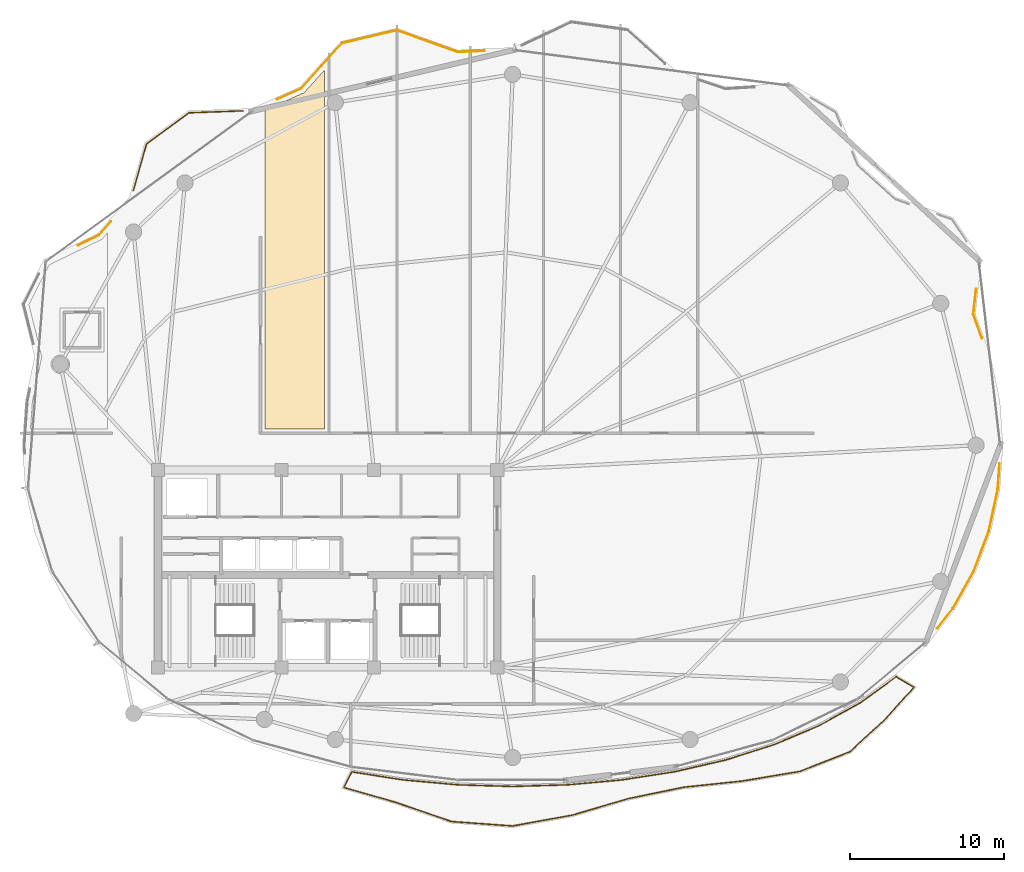
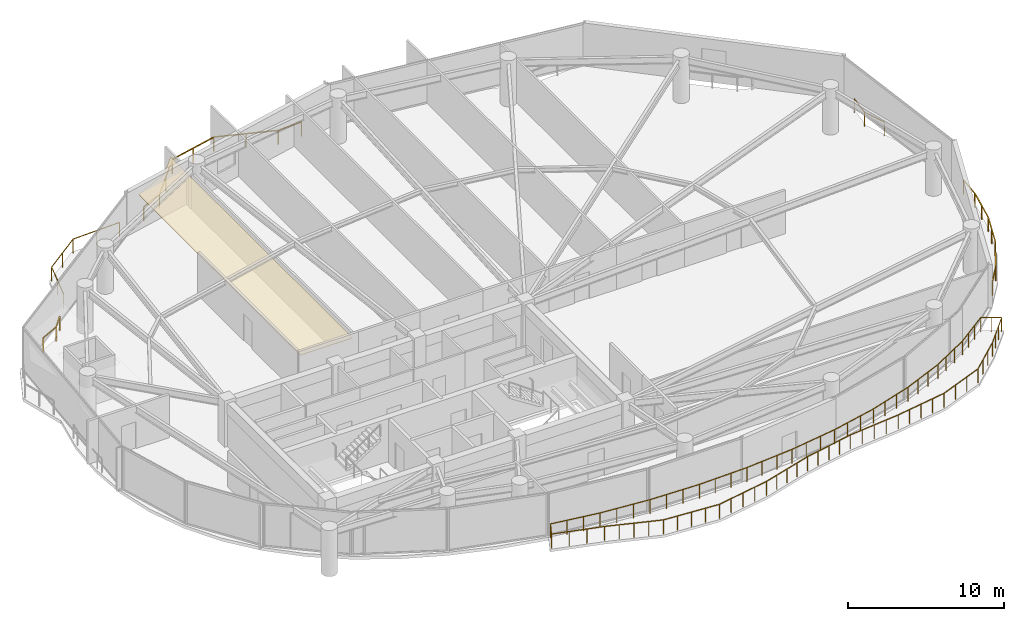
# One storey, part 29 of 30: 6 railings, 1 covering.
"""IFC4 building model written with IfcOpenShell, lengths in metres."""

import ifcopenshell
import ifcopenshell.guid

model = None  # the IFC model being written
_history = None  # IfcOwnerHistory: only IFC2X3 demands one
_inside = {}  # id of a spatial element -> (the spatial element, [elements in it])
_under = {}  # id of a project, library or spatial element -> (it, [spatial elements below it])
_declared = {}  # id of a project -> (the project, [libraries it declares])
_typed = {}  # id of a type object -> (the type object, [elements of that type])
_made_of = {}  # id of a material, layer set ... -> (it, [elements and type objects made of it])


def new_model(schema):
    """Start an empty IFC model of exactly this schema.

    Asked for "IFC4X3", IfcOpenShell would pick the latest addendum, in which some entities
    have other attributes; the version numbers below select the first issue.
    IFC2X3 requires an IfcOwnerHistory on every rooted entity: one is made here for all.
    """
    global model, _history
    if schema == "IFC4X3":
        model = ifcopenshell.file(schema_version=(4, 3, 0, 0))
    else:
        model = ifcopenshell.file(schema=schema)
    _inside.clear()
    _under.clear()
    _declared.clear()
    _typed.clear()
    _made_of.clear()
    _history = None
    if model.schema == "IFC2X3":
        org = make("IfcOrganization", Name="unknown")
        user = make(
            "IfcPersonAndOrganization",
            ThePerson=make("IfcPerson", FamilyName="unknown"),
            TheOrganization=org,
        )
        app = make(
            "IfcApplication",
            ApplicationDeveloper=org,
            Version="unknown",
            ApplicationFullName="unknown",
            ApplicationIdentifier="unknown",
        )
        _history = make(
            "IfcOwnerHistory",
            OwningUser=user,
            OwningApplication=app,
            ChangeAction="ADDED",
            CreationDate=0,
        )
    return model


def make(cls, **values):
    """One entity of the class cls with the attributes given. An attribute that is None is left unset."""
    return model.create_entity(
        cls, **{name: value for name, value in values.items() if value is not None}
    )


def rooted(cls, **values):
    """An entity with a GlobalId (a new one), such as an element, a storey or a relation."""
    return make(cls, GlobalId=ifcopenshell.guid.new(), OwnerHistory=_history, **values)


def si_unit(unit_type, name, prefix=None):
    """IfcSIUnit, for example si_unit("LENGTHUNIT", "METRE", prefix="MILLI")."""
    return make("IfcSIUnit", UnitType=unit_type, Prefix=prefix, Name=name)


def assignment(units):
    """IfcUnitAssignment: the units of a project."""
    return None if units is None else make("IfcUnitAssignment", Units=units)


def point(xyz):
    """IfcCartesianPoint."""
    return None if xyz is None else make("IfcCartesianPoint", Coordinates=xyz)


def direction(xyz):
    """IfcDirection."""
    return None if xyz is None else make("IfcDirection", DirectionRatios=xyz)


def frame(location, z_axis=None, x_axis=None):
    """IfcAxis2Placement3D, a coordinate frame: its origin and axes. An axis left out is left unset."""
    return make(
        "IfcAxis2Placement3D",
        Location=point(location),
        Axis=direction(z_axis),
        RefDirection=direction(x_axis),
    )


def frame_2d(location, x_axis=None):
    """IfcAxis2Placement2D, a coordinate frame in the plane: its origin and x axis."""
    return make(
        "IfcAxis2Placement2D", Location=point(location), RefDirection=direction(x_axis)
    )


def origin():
    """The frame at (0, 0, 0) with its axes left unset."""
    return frame((0.0, 0.0, 0.0))


def origin_2d():
    """The frame at (0, 0) in the plane with its x axis left unset."""
    return frame_2d((0.0, 0.0))


def place(relative_to, where):
    """IfcLocalPlacement: puts the frame where relative to a parent placement (None: the world)."""
    return make(
        "IfcLocalPlacement", PlacementRelTo=relative_to, RelativePlacement=where
    )


def context(
    kind, dimensions, precision=None, world=None, true_north=None, identifier=None
):
    """IfcGeometricRepresentationContext, for example the 3D "Model" context."""
    return make(
        "IfcGeometricRepresentationContext",
        ContextIdentifier=identifier,
        ContextType=kind,
        CoordinateSpaceDimension=dimensions,
        Precision=precision,
        WorldCoordinateSystem=world,
        TrueNorth=true_north,
    )


def subcontext(parent, identifier, kind, view, scale=None):
    """IfcGeometricRepresentationSubContext, for example "Body" below "Model"."""
    return make(
        "IfcGeometricRepresentationSubContext",
        ContextIdentifier=identifier,
        ContextType=kind,
        ParentContext=parent,
        TargetScale=scale,
        TargetView=view,
    )


def project(units=None, contexts=None):
    """IfcProject with its units and contexts."""
    return rooted(
        "IfcProject",
        Name="project",
        RepresentationContexts=contexts,
        UnitsInContext=assignment(units),
    )


def spatial(cls, under=None, at=None, **own):
    """A site, building, storey or space (cls), placed at a placement, below another one or the project."""
    s = rooted(cls, ObjectPlacement=at, **own)
    if under is not None:
        _under.setdefault(under.id(), (under, []))[1].append(s)
    return s


def polyline(points):
    """IfcPolyline through the points."""
    return make("IfcPolyline", Points=[point(p) for p in points])


def profile(cls, at=None, kind="AREA", **sizes):
    """A parametric profile (cls). Its sizes go by their IFC names, for example OverallWidth=200.0."""
    return make(cls, ProfileType=kind, Position=at, **sizes)


def rectangle(**sizes):
    """IfcRectangleProfileDef."""
    return profile("IfcRectangleProfileDef", **sizes)


def outline(outer, holes=None, kind="AREA"):
    """IfcArbitraryClosedProfileDef: a profile drawn as a closed curve; with holes, ...WithVoids."""
    if holes is None:
        return make("IfcArbitraryClosedProfileDef", ProfileType=kind, OuterCurve=outer)
    return make(
        "IfcArbitraryProfileDefWithVoids",
        ProfileType=kind,
        OuterCurve=outer,
        InnerCurves=holes,
    )


def extrude(swept, where, along, depth):
    """IfcExtrudedAreaSolid: the profile swept, set in the frame where, extruded along a direction by depth."""
    return make(
        "IfcExtrudedAreaSolid",
        SweptArea=swept,
        Position=where,
        ExtrudedDirection=direction(along),
        Depth=depth,
    )


def shape(context_of_items, identifier, shape_type, items):
    """IfcShapeRepresentation: the items that make up one representation, for example the "Body"."""
    return make(
        "IfcShapeRepresentation",
        ContextOfItems=context_of_items,
        RepresentationIdentifier=identifier,
        RepresentationType=shape_type,
        Items=items,
    )


def material(Name=None, Category=None):
    """IfcMaterial."""
    return make("IfcMaterial", Name=Name, Category=Category)


def layer(
    of_material, thickness, ventilated=None, Name=None, Category=None, Priority=None
):
    """IfcMaterialLayer: one layer of a wall or slab, of a material (None: an air gap)."""
    return make(
        "IfcMaterialLayer",
        Material=of_material,
        LayerThickness=thickness,
        IsVentilated=ventilated,
        Name=Name,
        Category=Category,
        Priority=Priority,
    )


def layer_set(layers, Name=None):
    """IfcMaterialLayerSet."""
    return make("IfcMaterialLayerSet", MaterialLayers=layers, LayerSetName=Name)


def made_of(thing, what):
    """Note that an element or type object is made of a material, layer set ...; save() writes the relation."""
    if what is not None:
        _made_of.setdefault(what.id(), (what, []))[1].append(thing)
    return thing


def type_object(cls, material=None, **own):
    """A type object (cls), such as IfcWallType, which elements share."""
    return made_of(rooted(cls, **own), material)


def element(
    cls,
    number,
    at=None,
    inside=None,
    cuts=None,
    type_object=None,
    material=None,
    context=None,
    identifier="Body",
    shape_type=None,
    held_by="IfcProductDefinitionShape",
    body=None,
    shapes=None,
    **own,
):
    """One element of the class cls, such as IfcWall. Its Tag is "e" and its number.

    at: its placement. inside: the storey or other place that contains it. cuts: it is an
    opening in that element (IfcRelVoidsElement). A single representation is given by context,
    identifier, shape_type and body (its items); several are given by shapes. held_by: the class
    of the entity that holds the representations. save() writes the other relations.
    """
    e = rooted(cls, Tag="e%d" % number, ObjectPlacement=at, **own)
    if body is not None:
        shapes = [shape(context, identifier, shape_type, body)]
    if shapes is not None:
        e.Representation = make(held_by, Representations=shapes)
    if inside is not None:
        _inside.setdefault(inside.id(), (inside, []))[1].append(e)
    if cuts is not None:
        rooted(
            "IfcRelVoidsElement", RelatingBuildingElement=cuts, RelatedOpeningElement=e
        )
    if type_object is not None:
        _typed.setdefault(type_object.id(), (type_object, []))[1].append(e)
    return made_of(e, material)


def aggregate(whole, parts):
    """IfcRelAggregates: a whole, such as a stair, and the parts it consists of."""
    return rooted("IfcRelAggregates", RelatingObject=whole, RelatedObjects=parts)


def save(model, path):
    """Write the relations noted so far, then the file.

    IfcRelAggregates (storeys below a building ...), IfcRelContainedInSpatialStructure (elements
    in a storey), IfcRelDefinesByType, IfcRelAssociatesMaterial and IfcRelDeclares: one each for
    every whole, place, type object, material and project.
    """
    for whole, parts in _under.values():
        aggregate(whole, parts)
    for where, things in _inside.values():
        rooted(
            "IfcRelContainedInSpatialStructure",
            RelatedElements=things,
            RelatingStructure=where,
        )
    for kind, things in _typed.values():
        rooted("IfcRelDefinesByType", RelatedObjects=things, RelatingType=kind)
    for what, things in _made_of.values():
        rooted("IfcRelAssociatesMaterial", RelatedObjects=things, RelatingMaterial=what)
    for by, libraries in _declared.values():
        rooted("IfcRelDeclares", RelatingContext=by, RelatedDefinitions=libraries)
    model.write(path)


model = new_model("IFC4")

# Units and contexts
model_context = context("Model", 3, precision=1e-05, world=origin(), true_north=direction((0.0, 1.0)))
body_context = subcontext(model_context, "Body", "Model", "MODEL_VIEW")
ifc_project = project(units=[si_unit("LENGTHUNIT", "METRE"), si_unit("AREAUNIT", "SQUARE_METRE"), si_unit("VOLUMEUNIT", "CUBIC_METRE"), si_unit("PLANEANGLEUNIT", "RADIAN"), si_unit("MASSUNIT", "GRAM", prefix="KILO")], contexts=[model_context])

# Site, building, storey
site_placement = place(None, origin())
site = spatial("IfcSite", under=ifc_project, at=site_placement, CompositionType="ELEMENT")
building_placement = place(site_placement, origin())
building = spatial("IfcBuilding", under=site, at=building_placement, Name="Kazevale Care Tower and Concert Hall", CompositionType="ELEMENT")
storey_placement = place(building_placement, frame((0.0, 0.0, 242.39990234375)))
storey = spatial("IfcBuildingStorey", under=building, at=storey_placement, Name="L64", CompositionType="ELEMENT", Elevation=242.39990234375)

# Covering
ifc_material_1 = material(Name="Acoustic Plaster and Hinoki Wood", Category="wood")
ifc_layer = layer(ifc_material_1, 0.0400390625)
ifc_layer_set = layer_set([ifc_layer], Name="Acoustic Plaster and Hinoki Wood")
covering_type = type_object("IfcCoveringType", Name="Acoustic Perforated Wood-Gypsum Ceiling", PredefinedType="CEILING", material=ifc_layer_set)
covering_placement = place(storey_placement, frame((0.0, 0.0, 2.710205078125)))
element("IfcCovering", 1, at=covering_placement, inside=storey, type_object=covering_type, Name="clg:L64:2", PredefinedType="CEILING", context=body_context, shape_type="SweptSolid", body=[
    extrude(outline(polyline([(28.929931640625, 59.721923828125), (31.47900390625, 60.864990234375), (32.800048828125, 62.333984375), (32.800048828125, 39.054931640625), (28.929931640625, 39.054931640625), (28.929931640625, 59.721923828125)])), origin(), (0.0, 0.0, 1.0), 0.039794921875),
])

# Railings
ifc_material_2 = material(Name="Anodised Bronze Aluminium and Laminated Glass", Category="aluminium")
railing_type = type_object("IfcRailingType", Name="Balcony and Terrace Balustrade 1120", PredefinedType="BALUSTRADE", material=ifc_material_2)
railing_1_placement = place(storey_placement, frame((16.83203125, 50.968994140625, 0.0)))
element("IfcRailing", 2, at=railing_1_placement, inside=storey, type_object=railing_type, Name="rail:L64:perim:3", PredefinedType="BALUSTRADE", context=body_context, shape_type="SweptSolid", body=[
    extrude(rectangle(XDim=0.048095703125, YDim=0.048095703125, at=origin_2d()), frame((0.0, 0.0, 1.09619140625), z_axis=(0.899880965399, 0.436135584553, 0.0), x_axis=(-0.436135584553, 0.899880965399, 0.0)), (0.0, 0.0, 1.0), 1.476806640625),
    extrude(rectangle(XDim=0.048095703125, YDim=0.048095703125, at=origin_2d()), frame((1.328857421875, 0.64404296875, 1.09619140625), z_axis=(0.658533673371, 0.752551261402, 0.0), x_axis=(-0.752551261402, 0.658533673371, 0.0)), (0.0, 0.0, 1.0), 1.189208984375),
    extrude(rectangle(XDim=0.0419921875, YDim=0.0419921875, at=origin_2d()), origin(), (0.0, 0.0, 1.0), 1.072021484375),
    extrude(rectangle(XDim=0.0419921875, YDim=0.0419921875, at=origin_2d()), frame((1.328857421875, 0.64404296875, 0.0)), (0.0, 0.0, 1.0), 1.072021484375),
    extrude(rectangle(XDim=0.0419921875, YDim=0.0419921875, at=origin_2d()), frame((2.112060546875, 1.5390625, 0.0)), (0.0, 0.0, 1.0), 1.072021484375),
])
railing_2_placement = place(storey_placement, frame((20.403076171875, 54.511962890625, 0.0)))
element("IfcRailing", 3, at=railing_2_placement, inside=storey, type_object=railing_type, Name="rail:L64:perim:4", PredefinedType="BALUSTRADE", context=body_context, shape_type="SweptSolid", body=[
    extrude(rectangle(XDim=0.048095703125, YDim=0.048095703125, at=origin_2d()), frame((0.0, 0.0, 1.09619140625), z_axis=(0.27160216444, 0.962409613559, 0.0), x_axis=(-0.962409613559, 0.27160216444, 0.0)), (0.0, 0.0, 1.0), 3.144287109375),
    extrude(rectangle(XDim=0.048095703125, YDim=0.048095703125, at=origin_2d()), frame((0.85400390625, 3.026123046875, 1.09619140625), z_axis=(0.805881115656, 0.592077382973, 0.0), x_axis=(-0.592077382973, 0.805881115656, 0.0)), (0.0, 0.0, 1.0), 3.40966796875),
    extrude(rectangle(XDim=0.048095703125, YDim=0.048095703125, at=origin_2d()), frame((3.601806640625, 5.044921875, 1.09619140625), z_axis=(0.999339175446, 0.036348485787, 0.0), x_axis=(-0.036348485787, 0.999339175446, 0.0)), (0.0, 0.0, 1.0), 3.499267578125),
    extrude(rectangle(XDim=0.0419921875, YDim=0.0419921875, at=origin_2d()), origin(), (0.0, 0.0, 1.0), 1.072021484375),
    extrude(rectangle(XDim=0.0419921875, YDim=0.0419921875, at=origin_2d()), frame((0.427001953125, 1.51318359375, 0.0)), (0.0, 0.0, 1.0), 1.072021484375),
    extrude(rectangle(XDim=0.0419921875, YDim=0.0419921875, at=origin_2d()), frame((0.85400390625, 3.026123046875, 0.0)), (0.0, 0.0, 1.0), 1.072021484375),
    extrude(rectangle(XDim=0.0419921875, YDim=0.0419921875, at=origin_2d()), frame((2.22802734375, 4.03564453125, 0.0)), (0.0, 0.0, 1.0), 1.072021484375),
    extrude(rectangle(XDim=0.0419921875, YDim=0.0419921875, at=origin_2d()), frame((3.601806640625, 5.044921875, 0.0)), (0.0, 0.0, 1.0), 1.072021484375),
    extrude(rectangle(XDim=0.0419921875, YDim=0.0419921875, at=origin_2d()), frame((5.350341796875, 5.1083984375, 0.0)), (0.0, 0.0, 1.0), 1.072021484375),
    extrude(rectangle(XDim=0.0419921875, YDim=0.0419921875, at=origin_2d()), frame((7.098876953125, 5.172119140625, 0.0)), (0.0, 0.0, 1.0), 1.072021484375),
])
railing_3_placement = place(storey_placement, frame((29.737060546875, 60.43505859375, 0.0)))
element("IfcRailing", 4, at=railing_3_placement, inside=storey, type_object=railing_type, Name="rail:L64:perim:5", PredefinedType="BALUSTRADE", context=body_context, shape_type="SweptSolid", body=[
    extrude(rectangle(XDim=0.048095703125, YDim=0.048095703125, at=origin_2d()), frame((0.0, 0.0, 1.09619140625), z_axis=(0.912729386392, 0.408564642641, 0.0), x_axis=(-0.408564642641, 0.912729386392, 0.0)), (0.0, 0.0, 1.0), 1.6982421875),
    extrude(rectangle(XDim=0.048095703125, YDim=0.048095703125, at=origin_2d()), frame((1.550048828125, 0.69384765625, 1.09619140625), z_axis=(0.668500240789, 0.743711925456, 0.0), x_axis=(-0.743711925456, 0.668500240789, 0.0)), (0.0, 0.0, 1.0), 3.950439453125),
    extrude(rectangle(XDim=0.048095703125, YDim=0.048095703125, at=origin_2d()), frame((4.19091796875, 3.6318359375, 1.09619140625), z_axis=(0.97312090779, 0.2302948085, 0.0), x_axis=(-0.2302948085, 0.97312090779, 0.0)), (0.0, 0.0, 1.0), 3.652099609375),
    extrude(rectangle(XDim=0.048095703125, YDim=0.048095703125, at=origin_2d()), frame((7.744873046875, 4.472900390625, 1.09619140625), z_axis=(0.941350252636, -0.337431032749, 0.0), x_axis=(0.337431032749, 0.941350252636, 0.0)), (0.0, 0.0, 1.0), 4.18115234375),
    extrude(rectangle(XDim=0.048095703125, YDim=0.048095703125, at=origin_2d()), frame((11.680908203125, 3.06201171875, 1.09619140625), z_axis=(0.998977358959, 0.045213231333, 0.0), x_axis=(-0.045213231333, 0.998977358959, 0.0)), (0.0, 0.0, 1.0), 1.765625),
    extrude(rectangle(XDim=0.0419921875, YDim=0.0419921875, at=origin_2d()), origin(), (0.0, 0.0, 1.0), 1.072021484375),
    extrude(rectangle(XDim=0.0419921875, YDim=0.0419921875, at=origin_2d()), frame((1.550048828125, 0.69384765625, 0.0)), (0.0, 0.0, 1.0), 1.072021484375),
    extrude(rectangle(XDim=0.0419921875, YDim=0.0419921875, at=origin_2d()), frame((2.87060546875, 2.162841796875, 0.0)), (0.0, 0.0, 1.0), 1.072021484375),
    extrude(rectangle(XDim=0.0419921875, YDim=0.0419921875, at=origin_2d()), frame((4.19091796875, 3.6318359375, 0.0)), (0.0, 0.0, 1.0), 1.072021484375),
    extrude(rectangle(XDim=0.0419921875, YDim=0.0419921875, at=origin_2d()), frame((5.9677734375, 4.05224609375, 0.0)), (0.0, 0.0, 1.0), 1.072021484375),
    extrude(rectangle(XDim=0.0419921875, YDim=0.0419921875, at=origin_2d()), frame((7.744873046875, 4.472900390625, 0.0)), (0.0, 0.0, 1.0), 1.072021484375),
    extrude(rectangle(XDim=0.0419921875, YDim=0.0419921875, at=origin_2d()), frame((9.712890625, 3.767578125, 0.0)), (0.0, 0.0, 1.0), 1.072021484375),
    extrude(rectangle(XDim=0.0419921875, YDim=0.0419921875, at=origin_2d()), frame((11.680908203125, 3.06201171875, 0.0)), (0.0, 0.0, 1.0), 1.072021484375),
    extrude(rectangle(XDim=0.0419921875, YDim=0.0419921875, at=origin_2d()), frame((13.44482421875, 3.141845703125, 0.0)), (0.0, 0.0, 1.0), 1.072021484375),
])
railing_4_placement = place(storey_placement, frame((76.576904296875, 36.81103515625, 0.0)))
element("IfcRailing", 5, at=railing_4_placement, inside=storey, type_object=railing_type, Name="rail:L64:perim:11", PredefinedType="BALUSTRADE", context=body_context, shape_type="SweptSolid", body=[
    extrude(rectangle(XDim=0.048095703125, YDim=0.048095703125, at=origin_2d()), frame((0.0, 0.0, 1.09619140625), z_axis=(-0.069683140934, -0.997569175481, 0.0), x_axis=(0.997569175481, -0.069683140934, 0.0)), (0.0, 0.0, 1.0), 1.664306640625),
    extrude(rectangle(XDim=0.048095703125, YDim=0.048095703125, at=origin_2d()), frame((-0.115966796875, -1.66015625, 1.09619140625), z_axis=(-0.210886672564, -0.97751051725, 0.0), x_axis=(0.97751051725, -0.210886672564, 0.0)), (0.0, 0.0, 1.0), 2.81201171875),
    extrude(rectangle(XDim=0.048095703125, YDim=0.048095703125, at=origin_2d()), frame((-0.708984375, -4.408935546875, 1.09619140625), z_axis=(-0.352914941795, -0.935655408715, 0.0), x_axis=(0.935655408715, -0.352914941795, 0.0)), (0.0, 0.0, 1.0), 2.77685546875),
    extrude(rectangle(XDim=0.048095703125, YDim=0.048095703125, at=origin_2d()), frame((-1.68896484375, -7.007080078125, 1.09619140625), z_axis=(-0.490131162051, -0.871648692987, 0.0), x_axis=(0.871648692987, -0.490131162051, 0.0)), (0.0, 0.0, 1.0), 2.762451171875),
    extrude(rectangle(XDim=0.048095703125, YDim=0.048095703125, at=origin_2d()), frame((-3.04296875, -9.4150390625, 1.09619140625), z_axis=(-0.615507243123, -0.788131228707, 0.0), x_axis=(0.788131228707, -0.615507243123, 0.0)), (0.0, 0.0, 1.0), 1.6279296875),
    extrude(rectangle(XDim=0.0419921875, YDim=0.0419921875, at=origin_2d()), origin(), (0.0, 0.0, 1.0), 1.072021484375),
    extrude(rectangle(XDim=0.0419921875, YDim=0.0419921875, at=origin_2d()), frame((-0.115966796875, -1.66015625, 0.0)), (0.0, 0.0, 1.0), 1.072021484375),
    extrude(rectangle(XDim=0.0419921875, YDim=0.0419921875, at=origin_2d()), frame((-0.41259765625, -3.03466796875, 0.0)), (0.0, 0.0, 1.0), 1.072021484375),
    extrude(rectangle(XDim=0.0419921875, YDim=0.0419921875, at=origin_2d()), frame((-0.708984375, -4.408935546875, 0.0)), (0.0, 0.0, 1.0), 1.072021484375),
    extrude(rectangle(XDim=0.0419921875, YDim=0.0419921875, at=origin_2d()), frame((-1.198974609375, -5.7080078125, 0.0)), (0.0, 0.0, 1.0), 1.072021484375),
    extrude(rectangle(XDim=0.0419921875, YDim=0.0419921875, at=origin_2d()), frame((-1.68896484375, -7.007080078125, 0.0)), (0.0, 0.0, 1.0), 1.072021484375),
    extrude(rectangle(XDim=0.0419921875, YDim=0.0419921875, at=origin_2d()), frame((-2.365966796875, -8.2109375, 0.0)), (0.0, 0.0, 1.0), 1.072021484375),
    extrude(rectangle(XDim=0.0419921875, YDim=0.0419921875, at=origin_2d()), frame((-3.04296875, -9.4150390625, 0.0)), (0.0, 0.0, 1.0), 1.072021484375),
    extrude(rectangle(XDim=0.0419921875, YDim=0.0419921875, at=origin_2d()), frame((-4.044921875, -10.697998046875, 0.0)), (0.0, 0.0, 1.0), 1.072021484375),
])
railing_5_placement = place(storey_placement, frame((75.054931640625, 48.138916015625, 0.0)))
element("IfcRailing", 6, at=railing_5_placement, inside=storey, type_object=railing_type, Name="rail:L64:perim:12", PredefinedType="BALUSTRADE", context=body_context, shape_type="SweptSolid", body=[
    extrude(rectangle(XDim=0.048095703125, YDim=0.048095703125, at=origin_2d()), frame((0.0, 0.0, 1.09619140625), z_axis=(-0.110627099756, -0.993861984784, 0.0), x_axis=(0.993861984784, -0.110627099756, 0.0)), (0.0, 0.0, 1.0), 1.64404296875),
    extrude(rectangle(XDim=0.048095703125, YDim=0.048095703125, at=origin_2d()), frame((-0.181884765625, -1.634033203125, 1.09619140625), z_axis=(0.334582750454, -0.942366374134, 0.0), x_axis=(0.942366374134, 0.334582750454, 0.0)), (0.0, 0.0, 1.0), 1.65869140625),
    extrude(rectangle(XDim=0.0419921875, YDim=0.0419921875, at=origin_2d()), origin(), (0.0, 0.0, 1.0), 1.072021484375),
    extrude(rectangle(XDim=0.0419921875, YDim=0.0419921875, at=origin_2d()), frame((-0.181884765625, -1.634033203125, 0.0)), (0.0, 0.0, 1.0), 1.072021484375),
    extrude(rectangle(XDim=0.0419921875, YDim=0.0419921875, at=origin_2d()), frame((0.373046875, -3.197021484375, 0.0)), (0.0, 0.0, 1.0), 1.072021484375),
])
railing_6_placement = place(storey_placement, frame((34.56298828125, 16.819091796875, 0.0)))
element("IfcRailing", 7, at=railing_6_placement, inside=storey, type_object=railing_type, Name="rail:L64:balcony", PredefinedType="BALUSTRADE", context=body_context, shape_type="SweptSolid", body=[
    extrude(rectangle(XDim=0.048095703125, YDim=0.048095703125, at=origin_2d()), frame((0.0, 0.0, 1.09619140625), z_axis=(0.988093340761, -0.15385561395, 0.0), x_axis=(0.15385561395, 0.988093340761, 0.0)), (0.0, 0.0, 1.0), 3.38623046875),
    extrude(rectangle(XDim=0.048095703125, YDim=0.048095703125, at=origin_2d()), frame((3.345947265625, -0.52099609375, 1.09619140625), z_axis=(0.995947899496, -0.089932093766, 0.0), x_axis=(0.089932093766, 0.995947899496, 0.0)), (0.0, 0.0, 1.0), 3.537353515625),
    extrude(rectangle(XDim=0.048095703125, YDim=0.048095703125, at=origin_2d()), frame((6.868896484375, -0.839111328125, 1.09619140625), z_axis=(0.999567458851, -0.029409100739, 0.0), x_axis=(0.029409100739, 0.999567458851, 0.0)), (0.0, 0.0, 1.0), 3.569580078125),
    extrude(rectangle(XDim=0.048095703125, YDim=0.048095703125, at=origin_2d()), frame((10.43701171875, -0.944091796875, 1.09619140625), z_axis=(0.999567458851, 0.029409100739, 0.0), x_axis=(-0.029409100739, 0.999567458851, 0.0)), (0.0, 0.0, 1.0), 3.569580078125),
    extrude(rectangle(XDim=0.048095703125, YDim=0.048095703125, at=origin_2d()), frame((14.005126953125, -0.839111328125, 1.09619140625), z_axis=(0.995947899496, 0.089932093766, 0.0), x_axis=(-0.089932093766, 0.995947899496, 0.0)), (0.0, 0.0, 1.0), 3.537353515625),
    extrude(rectangle(XDim=0.048095703125, YDim=0.048095703125, at=origin_2d()), frame((17.528076171875, -0.52099609375, 1.09619140625), z_axis=(0.988098216207, 0.153824299539, 0.0), x_axis=(-0.153824299539, 0.988098216207, 0.0)), (0.0, 0.0, 1.0), 3.4775390625),
    extrude(rectangle(XDim=0.048095703125, YDim=0.048095703125, at=origin_2d()), frame((20.964111328125, 0.013916015625, 1.09619140625), z_axis=(0.974534254558, 0.224238682418, 0.0), x_axis=(-0.224238682418, 0.974534254558, 0.0)), (0.0, 0.0, 1.0), 3.389404296875),
    extrude(rectangle(XDim=0.048095703125, YDim=0.048095703125, at=origin_2d()), frame((24.26708984375, 0.77392578125, 1.09619140625), z_axis=(0.953239514235, 0.302215864078, 0.0), x_axis=(-0.302215864078, 0.953239514235, 0.0)), (0.0, 0.0, 1.0), 3.285400390625),
    extrude(rectangle(XDim=0.048095703125, YDim=0.048095703125, at=origin_2d()), frame((27.39892578125, 1.766845703125, 1.09619140625), z_axis=(0.921006567992, 0.389547046858, 0.0), x_axis=(-0.389547046858, 0.921006567992, 0.0)), (0.0, 0.0, 1.0), 3.170654296875),
    extrude(rectangle(XDim=0.048095703125, YDim=0.048095703125, at=origin_2d()), frame((30.319091796875, 3.001953125, 1.09619140625), z_axis=(0.874149737903, 0.485656499724, 0.0), x_axis=(-0.485656499724, 0.874149737903, 0.0)), (0.0, 0.0, 1.0), 3.055419921875),
    extrude(rectangle(XDim=0.048095703125, YDim=0.048095703125, at=origin_2d()), frame((32.989990234375, 4.48583984375, 1.09619140625), z_axis=(0.809111467971, 0.587655198562, 0.0), x_axis=(-0.587655198562, 0.809111467971, 0.0)), (0.0, 0.0, 1.0), 2.867431640625),
    extrude(rectangle(XDim=0.048095703125, YDim=0.048095703125, at=origin_2d()), frame((35.31005859375, 6.1708984375, 1.09619140625), z_axis=(0.858393665288, -0.512991535402, 0.0), x_axis=(0.512991535402, 0.858393665288, 0.0)), (0.0, 0.0, 1.0), 1.33740234375),
    extrude(rectangle(XDim=0.048095703125, YDim=0.048095703125, at=origin_2d()), frame((36.4580078125, 5.48486328125, 1.09619140625), z_axis=(-0.668384241521, -0.743816177349, 0.0), x_axis=(0.743816177349, -0.668384241521, 0.0)), (0.0, 0.0, 1.0), 2.8125),
    extrude(rectangle(XDim=0.048095703125, YDim=0.048095703125, at=origin_2d()), frame((34.578125, 3.392822265625, 1.09619140625), z_axis=(-0.737052488567, -0.675835504467, 0.0), x_axis=(0.675835504467, -0.737052488567, 0.0)), (0.0, 0.0, 1.0), 3.0908203125),
    extrude(rectangle(XDim=0.048095703125, YDim=0.048095703125, at=origin_2d()), frame((32.300048828125, 1.303955078125, 1.09619140625), z_axis=(-0.930836510622, -0.365435891084, 0.0), x_axis=(0.365435891084, -0.930836510622, 0.0)), (0.0, 0.0, 1.0), 3.489501953125),
    extrude(rectangle(XDim=0.048095703125, YDim=0.048095703125, at=origin_2d()), frame((29.052001953125, 0.02880859375, 1.09619140625), z_axis=(-0.986416538605, -0.164263241072, 0.0), x_axis=(0.164263241072, -0.986416538605, 0.0)), (0.0, 0.0, 1.0), 3.79150390625),
    extrude(rectangle(XDim=0.048095703125, YDim=0.048095703125, at=origin_2d()), frame((25.31201171875, -0.593994140625, 1.09619140625), z_axis=(-0.994432821465, -0.105372499228, 0.0), x_axis=(0.105372499228, -0.994432821465, 0.0)), (0.0, 0.0, 1.0), 3.7880859375),
    extrude(rectangle(XDim=0.048095703125, YDim=0.048095703125, at=origin_2d()), frame((21.544921875, -0.9931640625, 1.09619140625), z_axis=(-0.979808858255, -0.199936493129, 0.0), x_axis=(0.199936493129, -0.979808858255, 0.0)), (0.0, 0.0, 1.0), 3.660888671875),
    extrude(rectangle(XDim=0.048095703125, YDim=0.048095703125, at=origin_2d()), frame((17.9580078125, -1.72509765625, 1.09619140625), z_axis=(-0.959075433018, -0.283150690942, 0.0), x_axis=(0.283150690942, -0.959075433018, 0.0)), (0.0, 0.0, 1.0), 3.7861328125),
    extrude(rectangle(XDim=0.048095703125, YDim=0.048095703125, at=origin_2d()), frame((14.326904296875, -2.797119140625, 1.09619140625), z_axis=(-0.983798812619, -0.179276033782, 0.0), x_axis=(0.179276033782, -0.983798812619, 0.0)), (0.0, 0.0, 1.0), 3.960205078125),
    extrude(rectangle(XDim=0.048095703125, YDim=0.048095703125, at=origin_2d()), frame((10.430908203125, -3.507080078125, 1.09619140625), z_axis=(-0.997342128338, 0.072860682418, 0.0), x_axis=(-0.072860682418, -0.997342128338, 0.0)), (0.0, 0.0, 1.0), 3.96728515625),
    extrude(rectangle(XDim=0.048095703125, YDim=0.048095703125, at=origin_2d()), frame((6.47412109375, -3.218017578125, 1.09619140625), z_axis=(-0.945671323104, 0.325124204971, 0.0), x_axis=(-0.325124204971, -0.945671323104, 0.0)), (0.0, 0.0, 1.0), 3.838623046875),
    extrude(rectangle(XDim=0.048095703125, YDim=0.048095703125, at=origin_2d()), frame((2.843994140625, -1.969970703125, 1.09619140625), z_axis=(-0.961264286411, 0.275628321605, 0.0), x_axis=(-0.275628321605, -0.961264286411, 0.0)), (0.0, 0.0, 1.0), 3.48291015625),
    extrude(rectangle(XDim=0.048095703125, YDim=0.048095703125, at=origin_2d()), frame((-0.50390625, -1.010009765625, 1.09619140625), z_axis=(0.446434760748, 0.894816184697, 0.0), x_axis=(-0.894816184697, 0.446434760748, 0.0)), (0.0, 0.0, 1.0), 1.128662109375),
    extrude(rectangle(XDim=0.0419921875, YDim=0.0419921875, at=origin_2d()), origin(), (0.0, 0.0, 1.0), 1.072021484375),
    extrude(rectangle(XDim=0.0419921875, YDim=0.0419921875, at=origin_2d()), frame((1.115234375, -0.173583984375, 0.0)), (0.0, 0.0, 1.0), 1.072021484375),
    extrude(rectangle(XDim=0.0419921875, YDim=0.0419921875, at=origin_2d()), frame((2.230712890625, -0.347412109375, 0.0)), (0.0, 0.0, 1.0), 1.072021484375),
    extrude(rectangle(XDim=0.0419921875, YDim=0.0419921875, at=origin_2d()), frame((3.345947265625, -0.52099609375, 0.0)), (0.0, 0.0, 1.0), 1.072021484375),
    extrude(rectangle(XDim=0.0419921875, YDim=0.0419921875, at=origin_2d()), frame((4.520263671875, -0.626953125, 0.0)), (0.0, 0.0, 1.0), 1.072021484375),
    extrude(rectangle(XDim=0.0419921875, YDim=0.0419921875, at=origin_2d()), frame((5.694580078125, -0.733154296875, 0.0)), (0.0, 0.0, 1.0), 1.072021484375),
    extrude(rectangle(XDim=0.0419921875, YDim=0.0419921875, at=origin_2d()), frame((6.868896484375, -0.839111328125, 0.0)), (0.0, 0.0, 1.0), 1.072021484375),
    extrude(rectangle(XDim=0.0419921875, YDim=0.0419921875, at=origin_2d()), frame((8.058349609375, -0.8740234375, 0.0)), (0.0, 0.0, 1.0), 1.072021484375),
    extrude(rectangle(XDim=0.0419921875, YDim=0.0419921875, at=origin_2d()), frame((9.24755859375, -0.9091796875, 0.0)), (0.0, 0.0, 1.0), 1.072021484375),
    extrude(rectangle(XDim=0.0419921875, YDim=0.0419921875, at=origin_2d()), frame((10.43701171875, -0.944091796875, 0.0)), (0.0, 0.0, 1.0), 1.072021484375),
    extrude(rectangle(XDim=0.0419921875, YDim=0.0419921875, at=origin_2d()), frame((11.62646484375, -0.9091796875, 0.0)), (0.0, 0.0, 1.0), 1.072021484375),
    extrude(rectangle(XDim=0.0419921875, YDim=0.0419921875, at=origin_2d()), frame((12.815673828125, -0.8740234375, 0.0)), (0.0, 0.0, 1.0), 1.072021484375),
    extrude(rectangle(XDim=0.0419921875, YDim=0.0419921875, at=origin_2d()), frame((14.005126953125, -0.839111328125, 0.0)), (0.0, 0.0, 1.0), 1.072021484375),
    extrude(rectangle(XDim=0.0419921875, YDim=0.0419921875, at=origin_2d()), frame((15.179443359375, -0.733154296875, 0.0)), (0.0, 0.0, 1.0), 1.072021484375),
    extrude(rectangle(XDim=0.0419921875, YDim=0.0419921875, at=origin_2d()), frame((16.353759765625, -0.626953125, 0.0)), (0.0, 0.0, 1.0), 1.072021484375),
    extrude(rectangle(XDim=0.0419921875, YDim=0.0419921875, at=origin_2d()), frame((17.528076171875, -0.52099609375, 0.0)), (0.0, 0.0, 1.0), 1.072021484375),
    extrude(rectangle(XDim=0.0419921875, YDim=0.0419921875, at=origin_2d()), frame((18.67333984375, -0.3427734375, 0.0)), (0.0, 0.0, 1.0), 1.072021484375),
    extrude(rectangle(XDim=0.0419921875, YDim=0.0419921875, at=origin_2d()), frame((19.81884765625, -0.164306640625, 0.0)), (0.0, 0.0, 1.0), 1.072021484375),
    extrude(rectangle(XDim=0.0419921875, YDim=0.0419921875, at=origin_2d()), frame((20.964111328125, 0.013916015625, 0.0)), (0.0, 0.0, 1.0), 1.072021484375),
    extrude(rectangle(XDim=0.0419921875, YDim=0.0419921875, at=origin_2d()), frame((22.065185546875, 0.267333984375, 0.0)), (0.0, 0.0, 1.0), 1.072021484375),
    extrude(rectangle(XDim=0.0419921875, YDim=0.0419921875, at=origin_2d()), frame((23.166015625, 0.5205078125, 0.0)), (0.0, 0.0, 1.0), 1.072021484375),
    extrude(rectangle(XDim=0.0419921875, YDim=0.0419921875, at=origin_2d()), frame((24.26708984375, 0.77392578125, 0.0)), (0.0, 0.0, 1.0), 1.072021484375),
    extrude(rectangle(XDim=0.0419921875, YDim=0.0419921875, at=origin_2d()), frame((25.31103515625, 1.10498046875, 0.0)), (0.0, 0.0, 1.0), 1.072021484375),
    extrude(rectangle(XDim=0.0419921875, YDim=0.0419921875, at=origin_2d()), frame((26.35498046875, 1.435791015625, 0.0)), (0.0, 0.0, 1.0), 1.072021484375),
    extrude(rectangle(XDim=0.0419921875, YDim=0.0419921875, at=origin_2d()), frame((27.39892578125, 1.766845703125, 0.0)), (0.0, 0.0, 1.0), 1.072021484375),
    extrude(rectangle(XDim=0.0419921875, YDim=0.0419921875, at=origin_2d()), frame((28.372314453125, 2.178466796875, 0.0)), (0.0, 0.0, 1.0), 1.072021484375),
    extrude(rectangle(XDim=0.0419921875, YDim=0.0419921875, at=origin_2d()), frame((29.345703125, 2.59033203125, 0.0)), (0.0, 0.0, 1.0), 1.072021484375),
    extrude(rectangle(XDim=0.0419921875, YDim=0.0419921875, at=origin_2d()), frame((30.319091796875, 3.001953125, 0.0)), (0.0, 0.0, 1.0), 1.072021484375),
    extrude(rectangle(XDim=0.0419921875, YDim=0.0419921875, at=origin_2d()), frame((31.20947265625, 3.49658203125, 0.0)), (0.0, 0.0, 1.0), 1.072021484375),
    extrude(rectangle(XDim=0.0419921875, YDim=0.0419921875, at=origin_2d()), frame((32.099609375, 3.9912109375, 0.0)), (0.0, 0.0, 1.0), 1.072021484375),
    extrude(rectangle(XDim=0.0419921875, YDim=0.0419921875, at=origin_2d()), frame((32.989990234375, 4.48583984375, 0.0)), (0.0, 0.0, 1.0), 1.072021484375),
    extrude(rectangle(XDim=0.0419921875, YDim=0.0419921875, at=origin_2d()), frame((33.763427734375, 5.047607421875, 0.0)), (0.0, 0.0, 1.0), 1.072021484375),
    extrude(rectangle(XDim=0.0419921875, YDim=0.0419921875, at=origin_2d()), frame((34.53662109375, 5.609130859375, 0.0)), (0.0, 0.0, 1.0), 1.072021484375),
    extrude(rectangle(XDim=0.0419921875, YDim=0.0419921875, at=origin_2d()), frame((35.31005859375, 6.1708984375, 0.0)), (0.0, 0.0, 1.0), 1.072021484375),
    extrude(rectangle(XDim=0.0419921875, YDim=0.0419921875, at=origin_2d()), frame((35.884033203125, 5.827880859375, 0.0)), (0.0, 0.0, 1.0), 1.072021484375),
    extrude(rectangle(XDim=0.0419921875, YDim=0.0419921875, at=origin_2d()), frame((36.4580078125, 5.48486328125, 0.0)), (0.0, 0.0, 1.0), 1.072021484375),
    extrude(rectangle(XDim=0.0419921875, YDim=0.0419921875, at=origin_2d()), frame((35.831298828125, 4.78759765625, 0.0)), (0.0, 0.0, 1.0), 1.072021484375),
    extrude(rectangle(XDim=0.0419921875, YDim=0.0419921875, at=origin_2d()), frame((35.204833984375, 4.090087890625, 0.0)), (0.0, 0.0, 1.0), 1.072021484375),
    extrude(rectangle(XDim=0.0419921875, YDim=0.0419921875, at=origin_2d()), frame((34.578125, 3.392822265625, 0.0)), (0.0, 0.0, 1.0), 1.072021484375),
    extrude(rectangle(XDim=0.0419921875, YDim=0.0419921875, at=origin_2d()), frame((33.81884765625, 2.696533203125, 0.0)), (0.0, 0.0, 1.0), 1.072021484375),
    extrude(rectangle(XDim=0.0419921875, YDim=0.0419921875, at=origin_2d()), frame((33.059326171875, 2.000244140625, 0.0)), (0.0, 0.0, 1.0), 1.072021484375),
    extrude(rectangle(XDim=0.0419921875, YDim=0.0419921875, at=origin_2d()), frame((32.300048828125, 1.303955078125, 0.0)), (0.0, 0.0, 1.0), 1.072021484375),
    extrude(rectangle(XDim=0.0419921875, YDim=0.0419921875, at=origin_2d()), frame((31.21728515625, 0.87890625, 0.0)), (0.0, 0.0, 1.0), 1.072021484375),
    extrude(rectangle(XDim=0.0419921875, YDim=0.0419921875, at=origin_2d()), frame((30.134765625, 0.453857421875, 0.0)), (0.0, 0.0, 1.0), 1.072021484375),
    extrude(rectangle(XDim=0.0419921875, YDim=0.0419921875, at=origin_2d()), frame((29.052001953125, 0.02880859375, 0.0)), (0.0, 0.0, 1.0), 1.072021484375),
    extrude(rectangle(XDim=0.0419921875, YDim=0.0419921875, at=origin_2d()), frame((28.116943359375, -0.126953125, 0.0)), (0.0, 0.0, 1.0), 1.072021484375),
    extrude(rectangle(XDim=0.0419921875, YDim=0.0419921875, at=origin_2d()), frame((27.18212890625, -0.28271484375, 0.0)), (0.0, 0.0, 1.0), 1.072021484375),
    extrude(rectangle(XDim=0.0419921875, YDim=0.0419921875, at=origin_2d()), frame((26.2470703125, -0.438232421875, 0.0)), (0.0, 0.0, 1.0), 1.072021484375),
    extrude(rectangle(XDim=0.0419921875, YDim=0.0419921875, at=origin_2d()), frame((25.31201171875, -0.593994140625, 0.0)), (0.0, 0.0, 1.0), 1.072021484375),
    extrude(rectangle(XDim=0.0419921875, YDim=0.0419921875, at=origin_2d()), frame((24.3701171875, -0.69384765625, 0.0)), (0.0, 0.0, 1.0), 1.072021484375),
    extrude(rectangle(XDim=0.0419921875, YDim=0.0419921875, at=origin_2d()), frame((23.428466796875, -0.79345703125, 0.0)), (0.0, 0.0, 1.0), 1.072021484375),
    extrude(rectangle(XDim=0.0419921875, YDim=0.0419921875, at=origin_2d()), frame((22.48681640625, -0.893310546875, 0.0)), (0.0, 0.0, 1.0), 1.072021484375),
    extrude(rectangle(XDim=0.0419921875, YDim=0.0419921875, at=origin_2d()), frame((21.544921875, -0.9931640625, 0.0)), (0.0, 0.0, 1.0), 1.072021484375),
    extrude(rectangle(XDim=0.0419921875, YDim=0.0419921875, at=origin_2d()), frame((20.648193359375, -1.17626953125, 0.0)), (0.0, 0.0, 1.0), 1.072021484375),
    extrude(rectangle(XDim=0.0419921875, YDim=0.0419921875, at=origin_2d()), frame((19.75146484375, -1.359130859375, 0.0)), (0.0, 0.0, 1.0), 1.072021484375),
    extrude(rectangle(XDim=0.0419921875, YDim=0.0419921875, at=origin_2d()), frame((18.854736328125, -1.5419921875, 0.0)), (0.0, 0.0, 1.0), 1.072021484375),
    extrude(rectangle(XDim=0.0419921875, YDim=0.0419921875, at=origin_2d()), frame((17.9580078125, -1.72509765625, 0.0)), (0.0, 0.0, 1.0), 1.072021484375),
    extrude(rectangle(XDim=0.0419921875, YDim=0.0419921875, at=origin_2d()), frame((17.05029296875, -1.9931640625, 0.0)), (0.0, 0.0, 1.0), 1.072021484375),
    extrude(rectangle(XDim=0.0419921875, YDim=0.0419921875, at=origin_2d()), frame((16.142578125, -2.26123046875, 0.0)), (0.0, 0.0, 1.0), 1.072021484375),
    extrude(rectangle(XDim=0.0419921875, YDim=0.0419921875, at=origin_2d()), frame((15.234619140625, -2.529052734375, 0.0)), (0.0, 0.0, 1.0), 1.072021484375),
    extrude(rectangle(XDim=0.0419921875, YDim=0.0419921875, at=origin_2d()), frame((14.326904296875, -2.797119140625, 0.0)), (0.0, 0.0, 1.0), 1.072021484375),
    extrude(rectangle(XDim=0.0419921875, YDim=0.0419921875, at=origin_2d()), frame((13.35302734375, -2.974609375, 0.0)), (0.0, 0.0, 1.0), 1.072021484375),
    extrude(rectangle(XDim=0.0419921875, YDim=0.0419921875, at=origin_2d()), frame((12.37890625, -3.152099609375, 0.0)), (0.0, 0.0, 1.0), 1.072021484375),
    extrude(rectangle(XDim=0.0419921875, YDim=0.0419921875, at=origin_2d()), frame((11.40478515625, -3.32958984375, 0.0)), (0.0, 0.0, 1.0), 1.072021484375),
    extrude(rectangle(XDim=0.0419921875, YDim=0.0419921875, at=origin_2d()), frame((10.430908203125, -3.507080078125, 0.0)), (0.0, 0.0, 1.0), 1.072021484375),
    extrude(rectangle(XDim=0.0419921875, YDim=0.0419921875, at=origin_2d()), frame((9.441650390625, -3.434814453125, 0.0)), (0.0, 0.0, 1.0), 1.072021484375),
    extrude(rectangle(XDim=0.0419921875, YDim=0.0419921875, at=origin_2d()), frame((8.45263671875, -3.362548828125, 0.0)), (0.0, 0.0, 1.0), 1.072021484375),
    extrude(rectangle(XDim=0.0419921875, YDim=0.0419921875, at=origin_2d()), frame((7.46337890625, -3.290283203125, 0.0)), (0.0, 0.0, 1.0), 1.072021484375),
    extrude(rectangle(XDim=0.0419921875, YDim=0.0419921875, at=origin_2d()), frame((6.47412109375, -3.218017578125, 0.0)), (0.0, 0.0, 1.0), 1.072021484375),
    extrude(rectangle(XDim=0.0419921875, YDim=0.0419921875, at=origin_2d()), frame((5.566650390625, -2.906005859375, 0.0)), (0.0, 0.0, 1.0), 1.072021484375),
    extrude(rectangle(XDim=0.0419921875, YDim=0.0419921875, at=origin_2d()), frame((4.6591796875, -2.593994140625, 0.0)), (0.0, 0.0, 1.0), 1.072021484375),
    extrude(rectangle(XDim=0.0419921875, YDim=0.0419921875, at=origin_2d()), frame((3.75146484375, -2.281982421875, 0.0)), (0.0, 0.0, 1.0), 1.072021484375),
    extrude(rectangle(XDim=0.0419921875, YDim=0.0419921875, at=origin_2d()), frame((2.843994140625, -1.969970703125, 0.0)), (0.0, 0.0, 1.0), 1.072021484375),
    extrude(rectangle(XDim=0.0419921875, YDim=0.0419921875, at=origin_2d()), frame((1.72802734375, -1.64990234375, 0.0)), (0.0, 0.0, 1.0), 1.072021484375),
    extrude(rectangle(XDim=0.0419921875, YDim=0.0419921875, at=origin_2d()), frame((0.612060546875, -1.330078125, 0.0)), (0.0, 0.0, 1.0), 1.072021484375),
    extrude(rectangle(XDim=0.0419921875, YDim=0.0419921875, at=origin_2d()), frame((-0.50390625, -1.010009765625, 0.0)), (0.0, 0.0, 1.0), 1.072021484375),
])

save(model, "model.ifc")
